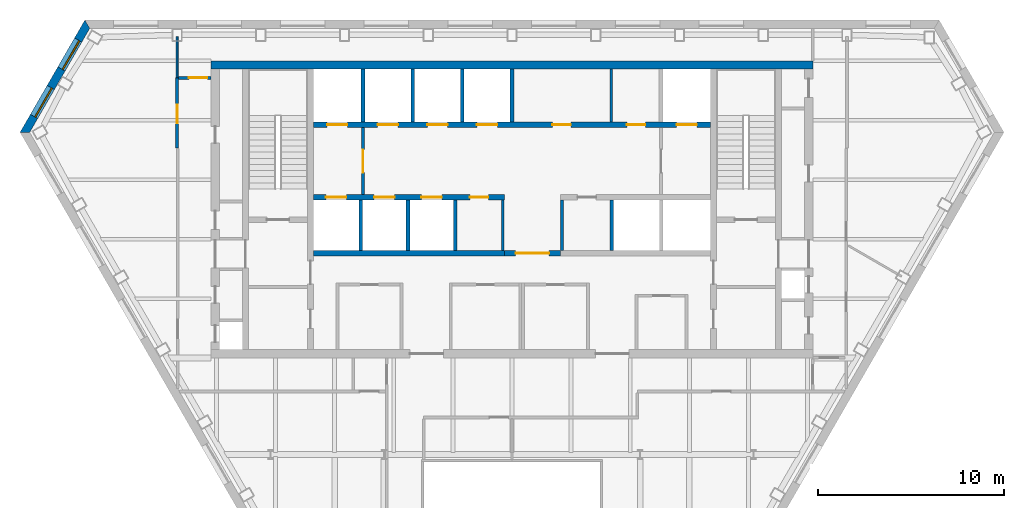
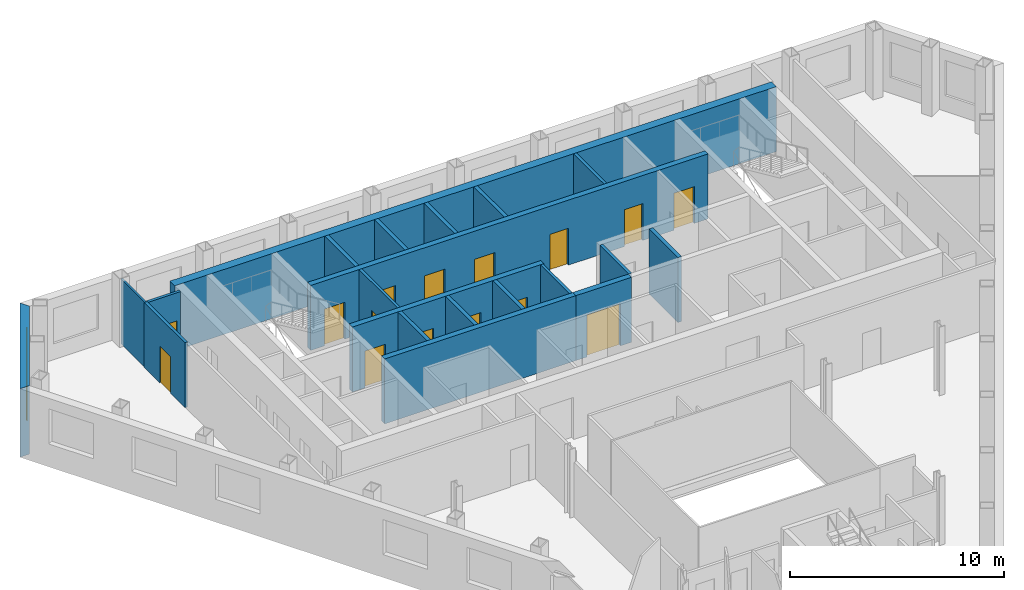
# One storey, part 6 of 11: 21 walls, 15 doors, 2 windows, 17 openings.
"""IFC4 building model written with IfcOpenShell, lengths in metres."""

from ifc_helpers import new_model, si_unit, direction, frame, frame_2d, origin, place, context, subcontext, project, spatial, polyline, rectangle, outline, extrude, material, layer, layer_set, type_object, element, fill, save


model = new_model("IFC4")

# Units and contexts
model_context = context("Model", 3, precision=1e-05, world=origin(), true_north=direction((0.0, 1.0)))
body_context = subcontext(model_context, "Body", "Model", "MODEL_VIEW")
ifc_project = project(units=[si_unit("LENGTHUNIT", "METRE"), si_unit("AREAUNIT", "SQUARE_METRE"), si_unit("VOLUMEUNIT", "CUBIC_METRE"), si_unit("PLANEANGLEUNIT", "RADIAN"), si_unit("MASSUNIT", "GRAM", prefix="KILO")], contexts=[model_context])

# Site, building, storey
site_placement = place(None, origin())
site = spatial("IfcSite", under=ifc_project, at=site_placement, CompositionType="ELEMENT")
building_placement = place(site_placement, origin())
building = spatial("IfcBuilding", under=site, at=building_placement, Name="Njiva Tower", CompositionType="ELEMENT")
storey_placement = place(building_placement, frame((0.0, 0.0, 219.9)))
storey = spatial("IfcBuildingStorey", under=building, at=storey_placement, Name="L49", CompositionType="ELEMENT", Elevation=219.9)

# Walls
ifc_material_1 = material(Name="Blockwork", Category="masonry")
ifc_layer_1 = layer(ifc_material_1, 0.15)
ifc_layer_set_1 = layer_set([ifc_layer_1], Name="Blockwork")
wall_type_1 = type_object("IfcWallType", Name="WT1 Compartment partition 150", PredefinedType="PARTITIONING", material=ifc_layer_set_1)
wall_1_placement = place(storey_placement, frame((5.35, 14.7, 0.0), z_axis=(0.0, 0.0, 1.0), x_axis=(0.0, 1.0, 0.0)))
element("IfcWall", 1, at=wall_1_placement, inside=storey, type_object=wall_type_1, Name="Partition CN6", PredefinedType="PARTITIONING", context=body_context, shape_type="SweptSolid", body=[
    extrude(rectangle(XDim=2.85, YDim=0.15, at=frame_2d((1.425, 0.0))), origin(), (0.0, 0.0, 1.0), 3.7),
])
for number, where, z_axis, x_axis, name in (
    (2, (-0.5, 7.8, 0.0), (0.0, 0.0, 1.0), (0.0, 1.0, 0.0), "Partition CS4"),
    (3, (2.7, 7.8, 0.0), (0.0, 0.0, 1.0), (0.0, 1.0, 0.0), "Partition CS5"),
):
    element("IfcWall", number, at=place(storey_placement, frame(where, z_axis=z_axis, x_axis=x_axis)), inside=storey, type_object=wall_type_1, Name=name, PredefinedType="PARTITIONING", context=body_context, shape_type="SweptSolid", body=[
        extrude(rectangle(XDim=2.7, YDim=0.15, at=frame_2d((1.35, 0.0))), origin(), (0.0, 0.0, 1.0), 3.7),
    ])
ifc_material_2 = material(Name="Concrete C60/75", Category="concrete")
ifc_layer_2 = layer(ifc_material_2, 0.45)
ifc_layer_set_2 = layer_set([ifc_layer_2], Name="Concrete C60/75")
wall_type_2 = type_object("IfcWallType", Name="WT12 Core wall 450", PredefinedType="SHEAR", material=ifc_layer_set_2)
wall_2_placement = place(storey_placement, frame((-16.2, 17.775, 0.0), z_axis=(0.0, 0.0, 1.0), x_axis=(1.0, 0.0, 0.0)))
element("IfcWall", 4, at=wall_2_placement, inside=storey, type_object=wall_type_2, Name="Core wall north", PredefinedType="SHEAR", context=body_context, shape_type="SweptSolid", body=[
    extrude(rectangle(XDim=32.4, YDim=0.45, at=frame_2d((16.2, 0.0))), origin(), (0.0, 0.0, 1.0), 3.7),
])

# Wall, opening, door
ifc_layer_3 = layer(ifc_material_1, 0.15)
ifc_layer_set_3 = layer_set([ifc_layer_3], Name="Blockwork")
wall_type_3 = type_object("IfcWallType", Name="WT2 Lobby partition 150", PredefinedType="PARTITIONING", material=ifc_layer_set_3)
wall_3_placement = place(storey_placement, frame((-8.025, 10.8, 0.0), z_axis=(0.0, 0.0, 1.0), x_axis=(0.0, 1.0, 0.0)))
wall_3 = element("IfcWall", 5, at=wall_3_placement, inside=storey, type_object=wall_type_3, Name="Firefighting lobby wall A", PredefinedType="PARTITIONING", context=body_context, shape_type="SweptSolid", body=[
    extrude(rectangle(XDim=3.6, YDim=0.15, at=frame_2d((1.8, 0.0))), origin(), (0.0, 0.0, 1.0), 3.7),
])
opening_1_placement = place(wall_3_placement, frame((1.175, 0.0, 0.0)))
opening_1 = element("IfcOpeningElement", 6, at=opening_1_placement, cuts=wall_3, Name="Opening S16-D913", PredefinedType="OPENING", context=body_context, shape_type="SweptSolid", body=[
    extrude(rectangle(XDim=1.25, YDim=2.1, at=frame_2d((0.625, 1.05))), frame((0.0, 0.085, 0.0), z_axis=(0.0, -1.0, 0.0), x_axis=(1.0, 0.0, 0.0)), (0.0, 0.0, 1.0), 0.17),
])
ifc_material_3 = material(Name="Glazed steel fire door", Category="steel")
door_type_1 = type_object("IfcDoorType", Name="D8 Vestibule corridor door 1250x2100 glazed", OperationType="SINGLE_SWING_LEFT", PredefinedType="DOOR", material=ifc_material_3)
door_1_placement = place(opening_1_placement, origin())
door_1 = element("IfcDoor", 7, at=door_1_placement, inside=storey, type_object=door_type_1, Name="Stair vestibule corridor door", OperationType="SINGLE_SWING_RIGHT", OverallHeight=2.1, OverallWidth=1.25, PredefinedType="DOOR", context=body_context, shape_type="SweptSolid", body=[
    extrude(rectangle(XDim=1.25, YDim=2.1, at=frame_2d((0.625, 1.05))), frame((0.0, 0.025, 0.0), z_axis=(0.0, -1.0, 0.0), x_axis=(1.0, 0.0, 0.0)), (0.0, 0.0, 1.0), 0.05),
])
fill(opening_1, door_1)

# Wall
ifc_material_4 = material(Name="Gypsum board on steel studs", Category="gypsum")
ifc_layer_4 = layer(ifc_material_4, 0.1)
ifc_layer_set_4 = layer_set([ifc_layer_4], Name="Gypsum board on steel studs")
wall_type_4 = type_object("IfcWallType", Name="WT20 Gypsum partition 100", PredefinedType="PARTITIONING", material=ifc_layer_set_4)
wall_4_placement = place(storey_placement, frame((-18.034, 17.091, 0.0), z_axis=(0.0, 0.0, 1.0), x_axis=(0.0, 1.0, 0.0)))
element("IfcWall", 8, at=wall_4_placement, inside=storey, type_object=wall_type_4, Name="Partition S16-P002", PredefinedType="PARTITIONING", context=body_context, shape_type="SweptSolid", body=[
    extrude(rectangle(XDim=2.209, YDim=0.1, at=frame_2d((1.1045, 0.0))), origin(), (0.0, 0.0, 1.0), 3.7),
])

# Wall, opening, door
ifc_layer_5 = layer(ifc_material_4, 0.15)
ifc_layer_set_5 = layer_set([ifc_layer_5], Name="Gypsum board on steel studs")
wall_type_5 = type_object("IfcWallType", Name="WT21 Compartment wall 150", PredefinedType="PARTITIONING", material=ifc_layer_set_5)
wall_5_placement = place(storey_placement, frame((-18.034, 13.3, 0.0), z_axis=(0.0, 0.0, 1.0), x_axis=(0.0, 1.0, 0.0)))
wall_5 = element("IfcWall", 9, at=wall_5_placement, inside=storey, type_object=wall_type_5, Name="Partition S16-P001", PredefinedType="PARTITIONING", context=body_context, shape_type="SweptSolid", body=[
    extrude(rectangle(XDim=3.791, YDim=0.15, at=frame_2d((1.8955, 0.0))), origin(), (0.0, 0.0, 1.0), 3.7),
])
opening_2_placement = place(wall_5_placement, frame((1.344, 0.0, 0.0)))
opening_2 = element("IfcOpeningElement", 10, at=opening_2_placement, cuts=wall_5, Name="Opening S16-D001", PredefinedType="OPENING", context=body_context, shape_type="SweptSolid", body=[
    extrude(rectangle(XDim=1.0, YDim=2.1, at=frame_2d((0.5, 1.05))), frame((0.0, 0.085, 0.0), z_axis=(0.0, -1.0, 0.0), x_axis=(1.0, 0.0, 0.0)), (0.0, 0.0, 1.0), 0.17),
])
ifc_material_5 = material(Name="Steel fire door set", Category="steel")
door_type_2 = type_object("IfcDoorType", Name="D37 Fire door 1000x2100", OperationType="SINGLE_SWING_LEFT", PredefinedType="DOOR", material=ifc_material_5)
door_2_placement = place(opening_2_placement, origin())
door_2 = element("IfcDoor", 11, at=door_2_placement, inside=storey, type_object=door_type_2, Name="Door S16-D001", OperationType="SINGLE_SWING_RIGHT", OverallHeight=2.1, OverallWidth=1.0, PredefinedType="DOOR", context=body_context, shape_type="SweptSolid", body=[
    extrude(rectangle(XDim=1.0, YDim=2.1, at=frame_2d((0.5, 1.05))), frame((0.0, 0.025, 0.0), z_axis=(0.0, -1.0, 0.0), x_axis=(1.0, 0.0, 0.0)), (0.0, 0.0, 1.0), 0.05),
])
fill(opening_2, door_2)

wall_6_placement = place(storey_placement, frame((-17.959, 17.079, 0.0), z_axis=(0.0, 0.0, 1.0), x_axis=(1.0, 0.0, 0.0)))
wall_6 = element("IfcWall", 12, at=wall_6_placement, inside=storey, type_object=wall_type_5, Name="Partition S16-P004", PredefinedType="PARTITIONING", context=body_context, shape_type="SweptSolid", body=[
    extrude(rectangle(XDim=1.759, YDim=0.15, at=frame_2d((0.8795, 0.0))), origin(), (0.0, 0.0, 1.0), 3.7),
])
opening_3_placement = place(wall_6_placement, frame((0.559, 0.0, 0.0)))
opening_3 = element("IfcOpeningElement", 13, at=opening_3_placement, cuts=wall_6, Name="Opening S16-D003", PredefinedType="OPENING", context=body_context, shape_type="SweptSolid", body=[
    extrude(rectangle(XDim=1.0, YDim=2.1, at=frame_2d((0.5, 1.05))), frame((0.0, 0.085, 0.0), z_axis=(0.0, -1.0, 0.0), x_axis=(1.0, 0.0, 0.0)), (0.0, 0.0, 1.0), 0.17),
])
door_3_placement = place(opening_3_placement, origin())
door_3 = element("IfcDoor", 14, at=door_3_placement, inside=storey, type_object=door_type_2, Name="Door S16-D003", OperationType="SINGLE_SWING_LEFT", OverallHeight=2.1, OverallWidth=1.0, PredefinedType="DOOR", context=body_context, shape_type="SweptSolid", body=[
    extrude(rectangle(XDim=1.0, YDim=2.1, at=frame_2d((0.5, 1.05))), frame((0.0, 0.025, 0.0), z_axis=(0.0, -1.0, 0.0), x_axis=(1.0, 0.0, 0.0)), (0.0, 0.0, 1.0), 0.05),
])
fill(opening_3, door_3)

ifc_layer_6 = layer(ifc_material_1, 0.3)
ifc_layer_set_6 = layer_set([ifc_layer_6], Name="Blockwork")
wall_type_6 = type_object("IfcWallType", Name="WT5 Lobby partition 300", PredefinedType="PARTITIONING", material=ifc_layer_set_6)
wall_7_placement = place(storey_placement, frame((-0.4, 7.65, 0.0), z_axis=(0.0, 0.0, 1.0), x_axis=(1.0, 0.0, 0.0)))
wall_7 = element("IfcWall", 15, at=wall_7_placement, inside=storey, type_object=wall_type_6, Name="Lift lobby screen wall", PredefinedType="PARTITIONING", context=body_context, shape_type="SweptSolid", body=[
    extrude(rectangle(XDim=3.0, YDim=0.3, at=frame_2d((1.5, 0.0))), origin(), (0.0, 0.0, 1.0), 3.7),
])
opening_4_placement = place(wall_7_placement, frame((0.6, 0.0, 0.0)))
opening_4 = element("IfcOpeningElement", 16, at=opening_4_placement, cuts=wall_7, Name="Opening S16-D937", PredefinedType="OPENING", context=body_context, shape_type="SweptSolid", body=[
    extrude(rectangle(XDim=1.8, YDim=2.4, at=frame_2d((0.9, 1.2))), frame((0.0, 0.16, 0.0), z_axis=(0.0, -1.0, 0.0), x_axis=(1.0, 0.0, 0.0)), (0.0, 0.0, 1.0), 0.32),
])
ifc_material_6 = material(Name="Steel and glass door", Category="steel")
door_type_3 = type_object("IfcDoorType", Name="D3 Core entrance door 1800x2400", OperationType="DOUBLE_DOOR_SINGLE_SWING", PredefinedType="DOOR", material=ifc_material_6)
door_4_placement = place(opening_4_placement, origin())
door_4 = element("IfcDoor", 17, at=door_4_placement, inside=storey, type_object=door_type_3, Name="Core entrance door", OperationType="DOUBLE_DOOR_SINGLE_SWING", OverallHeight=2.4, OverallWidth=1.8, PredefinedType="DOOR", context=body_context, shape_type="SweptSolid", body=[
    extrude(rectangle(XDim=1.8, YDim=2.4, at=frame_2d((0.9, 1.2))), frame((0.0, 0.025, 0.0), z_axis=(0.0, -1.0, 0.0), x_axis=(1.0, 0.0, 0.0)), (0.0, 0.0, 1.0), 0.05),
])
fill(opening_4, door_4)

# Walls
ifc_material_7 = material(Name="Concrete C40/50", Category="concrete")
ifc_layer_7 = layer(ifc_material_7, 0.2)
ifc_layer_set_7 = layer_set([ifc_layer_7], Name="Concrete C40/50")
wall_type_7 = type_object("IfcWallType", Name="WT6 Lift shaft wall 200", PredefinedType="SHEAR", material=ifc_layer_set_7)
for number, where, z_axis, x_axis, name in (
    (18, (-8.025, 14.7, 0.0), (0.0, 0.0, 1.0), (0.0, 1.0, 0.0), "Shaft wall CN1"),
    (19, (-5.35, 14.7, 0.0), (0.0, 0.0, 1.0), (0.0, 1.0, 0.0), "Shaft wall CN2"),
    (20, (-2.675, 14.7, 0.0), (0.0, 0.0, 1.0), (0.0, 1.0, 0.0), "Shaft wall CN3"),
    (21, (0.0, 14.7, 0.0), (0.0, 0.0, 1.0), (0.0, 1.0, 0.0), "Shaft wall CN4"),
):
    element("IfcWall", number, at=place(storey_placement, frame(where, z_axis=z_axis, x_axis=x_axis)), inside=storey, type_object=wall_type_7, Name=name, PredefinedType="SHEAR", context=body_context, shape_type="SweptSolid", body=[
        extrude(rectangle(XDim=2.85, YDim=0.2, at=frame_2d((1.425, 0.0))), origin(), (0.0, 0.0, 1.0), 3.7),
    ])
for number, where, z_axis, x_axis, name in (
    (22, (-8.15, 7.8, 0.0), (0.0, 0.0, 1.0), (0.0, 1.0, 0.0), "Shaft wall CS1"),
    (23, (-5.6, 7.8, 0.0), (0.0, 0.0, 1.0), (0.0, 1.0, 0.0), "Shaft wall CS2"),
    (24, (-3.05, 7.8, 0.0), (0.0, 0.0, 1.0), (0.0, 1.0, 0.0), "Shaft wall CS3"),
    (25, (5.3667, 7.8, 0.0), (0.0, 0.0, 1.0), (0.0, 1.0, 0.0), "Shaft wall CS6"),
):
    element("IfcWall", number, at=place(storey_placement, frame(where, z_axis=z_axis, x_axis=x_axis)), inside=storey, type_object=wall_type_7, Name=name, PredefinedType="SHEAR", context=body_context, shape_type="SweptSolid", body=[
        extrude(rectangle(XDim=2.7, YDim=0.2, at=frame_2d((1.35, 0.0))), origin(), (0.0, 0.0, 1.0), 3.7),
    ])

# Wall, openings, doors
ifc_layer_8 = layer(ifc_material_7, 0.3)
ifc_layer_set_8 = layer_set([ifc_layer_8], Name="Concrete C40/50")
wall_type_8 = type_object("IfcWallType", Name="WT7 Lift shaft wall 300", PredefinedType="SHEAR", material=ifc_layer_set_8)
wall_8_placement = place(storey_placement, frame((-10.7, 14.55, 0.0), z_axis=(0.0, 0.0, 1.0), x_axis=(1.0, 0.0, 0.0)))
wall_8 = element("IfcWall", 26, at=wall_8_placement, inside=storey, type_object=wall_type_8, Name="Shaft wall north row lobby side", PredefinedType="SHEAR", context=body_context, shape_type="SweptSolid", body=[
    extrude(rectangle(XDim=21.4, YDim=0.3, at=frame_2d((10.7, 0.0))), origin(), (0.0, 0.0, 1.0), 3.7),
])
opening_5_placement = place(wall_8_placement, frame((0.7375, 0.0, 0.0)))
opening_5 = element("IfcOpeningElement", 27, at=opening_5_placement, cuts=wall_8, Name="Opening S16-D901", PredefinedType="OPENING", context=body_context, shape_type="SweptSolid", body=[
    extrude(rectangle(XDim=1.1, YDim=2.1, at=frame_2d((0.55, 1.05))), frame((0.0, 0.16, 0.0), z_axis=(0.0, -1.0, 0.0), x_axis=(1.0, 0.0, 0.0)), (0.0, 0.0, 1.0), 0.32),
])
opening_6_placement = place(wall_8_placement, frame((3.4625, 0.0, 0.0)))
opening_6 = element("IfcOpeningElement", 28, at=opening_6_placement, cuts=wall_8, Name="Opening S16-D902", PredefinedType="OPENING", context=body_context, shape_type="SweptSolid", body=[
    extrude(rectangle(XDim=1.1, YDim=2.1, at=frame_2d((0.55, 1.05))), frame((0.0, 0.16, 0.0), z_axis=(0.0, -1.0, 0.0), x_axis=(1.0, 0.0, 0.0)), (0.0, 0.0, 1.0), 0.32),
])
opening_7_placement = place(wall_8_placement, frame((6.1375, 0.0, 0.0)))
opening_7 = element("IfcOpeningElement", 29, at=opening_7_placement, cuts=wall_8, Name="Opening S16-D903", PredefinedType="OPENING", context=body_context, shape_type="SweptSolid", body=[
    extrude(rectangle(XDim=1.1, YDim=2.1, at=frame_2d((0.55, 1.05))), frame((0.0, 0.16, 0.0), z_axis=(0.0, -1.0, 0.0), x_axis=(1.0, 0.0, 0.0)), (0.0, 0.0, 1.0), 0.32),
])
opening_8_placement = place(wall_8_placement, frame((8.8125, 0.0, 0.0)))
opening_8 = element("IfcOpeningElement", 30, at=opening_8_placement, cuts=wall_8, Name="Opening S16-D904", PredefinedType="OPENING", context=body_context, shape_type="SweptSolid", body=[
    extrude(rectangle(XDim=1.1, YDim=2.1, at=frame_2d((0.55, 1.05))), frame((0.0, 0.16, 0.0), z_axis=(0.0, -1.0, 0.0), x_axis=(1.0, 0.0, 0.0)), (0.0, 0.0, 1.0), 0.32),
])
opening_9_placement = place(wall_8_placement, frame((19.5625, 0.0, 0.0)))
opening_9 = element("IfcOpeningElement", 31, at=opening_9_placement, cuts=wall_8, Name="Opening S16-D905", PredefinedType="OPENING", context=body_context, shape_type="SweptSolid", body=[
    extrude(rectangle(XDim=1.1, YDim=2.1, at=frame_2d((0.55, 1.05))), frame((0.0, 0.16, 0.0), z_axis=(0.0, -1.0, 0.0), x_axis=(1.0, 0.0, 0.0)), (0.0, 0.0, 1.0), 0.32),
])
opening_10_placement = place(wall_8_placement, frame((12.875, 0.0, 0.0)))
opening_10 = element("IfcOpeningElement", 32, at=opening_10_placement, cuts=wall_8, Name="Opening S16-D909", PredefinedType="OPENING", context=body_context, shape_type="SweptSolid", body=[
    extrude(rectangle(XDim=1.0, YDim=2.1, at=frame_2d((0.5, 1.05))), frame((0.0, 0.16, 0.0), z_axis=(0.0, -1.0, 0.0), x_axis=(1.0, 0.0, 0.0)), (0.0, 0.0, 1.0), 0.32),
])
opening_11_placement = place(wall_8_placement, frame((16.8875, 0.0, 0.0)))
opening_11 = element("IfcOpeningElement", 33, at=opening_11_placement, cuts=wall_8, Name="Opening S16-D910", PredefinedType="OPENING", context=body_context, shape_type="SweptSolid", body=[
    extrude(rectangle(XDim=1.0, YDim=2.1, at=frame_2d((0.5, 1.05))), frame((0.0, 0.16, 0.0), z_axis=(0.0, -1.0, 0.0), x_axis=(1.0, 0.0, 0.0)), (0.0, 0.0, 1.0), 0.32),
])
ifc_material_8 = material(Name="Steel door, painted", Category="steel")
door_type_4 = type_object("IfcDoorType", Name="D5 Steel door 1000x2100", OperationType="SINGLE_SWING_LEFT", PredefinedType="DOOR", material=ifc_material_8)
door_5_placement = place(opening_10_placement, origin())
door_5 = element("IfcDoor", 34, at=door_5_placement, inside=storey, type_object=door_type_4, Name="Reading room door", OperationType="SINGLE_SWING_LEFT", OverallHeight=2.1, OverallWidth=1.0, PredefinedType="DOOR", context=body_context, shape_type="SweptSolid", body=[
    extrude(rectangle(XDim=1.0, YDim=2.1, at=frame_2d((0.5, 1.05))), frame((0.0, 0.025, 0.0), z_axis=(0.0, -1.0, 0.0), x_axis=(1.0, 0.0, 0.0)), (0.0, 0.0, 1.0), 0.05),
])
fill(opening_10, door_5)
door_6_placement = place(opening_11_placement, origin())
door_6 = element("IfcDoor", 35, at=door_6_placement, inside=storey, type_object=door_type_4, Name="Business centre door", OperationType="SINGLE_SWING_LEFT", OverallHeight=2.1, OverallWidth=1.0, PredefinedType="DOOR", context=body_context, shape_type="SweptSolid", body=[
    extrude(rectangle(XDim=1.0, YDim=2.1, at=frame_2d((0.5, 1.05))), frame((0.0, 0.025, 0.0), z_axis=(0.0, -1.0, 0.0), x_axis=(1.0, 0.0, 0.0)), (0.0, 0.0, 1.0), 0.05),
])
fill(opening_11, door_6)
ifc_material_9 = material(Name="Stainless steel sliding door", Category="steel")
door_type_5 = type_object("IfcDoorType", Name="LD Lift landing door 1100x2100", OperationType="SLIDING_TO_LEFT", PredefinedType="DOOR", material=ifc_material_9)
door_7_placement = place(opening_5_placement, origin())
door_7 = element("IfcDoor", 36, at=door_7_placement, inside=storey, type_object=door_type_5, Name="Lift landing door FF1", OperationType="SLIDING_TO_LEFT", OverallHeight=2.1, OverallWidth=1.1, PredefinedType="DOOR", context=body_context, shape_type="SweptSolid", body=[
    extrude(rectangle(XDim=1.1, YDim=2.1, at=frame_2d((0.55, 1.05))), frame((0.0, 0.025, 0.0), z_axis=(0.0, -1.0, 0.0), x_axis=(1.0, 0.0, 0.0)), (0.0, 0.0, 1.0), 0.05),
])
fill(opening_5, door_7)
door_8_placement = place(opening_6_placement, origin())
door_8 = element("IfcDoor", 37, at=door_8_placement, inside=storey, type_object=door_type_5, Name="Lift landing door MB4", OperationType="SLIDING_TO_LEFT", OverallHeight=2.1, OverallWidth=1.1, PredefinedType="DOOR", context=body_context, shape_type="SweptSolid", body=[
    extrude(rectangle(XDim=1.1, YDim=2.1, at=frame_2d((0.55, 1.05))), frame((0.0, 0.025, 0.0), z_axis=(0.0, -1.0, 0.0), x_axis=(1.0, 0.0, 0.0)), (0.0, 0.0, 1.0), 0.05),
])
fill(opening_6, door_8)
door_9_placement = place(opening_7_placement, origin())
door_9 = element("IfcDoor", 38, at=door_9_placement, inside=storey, type_object=door_type_5, Name="Lift landing door MB5", OperationType="SLIDING_TO_LEFT", OverallHeight=2.1, OverallWidth=1.1, PredefinedType="DOOR", context=body_context, shape_type="SweptSolid", body=[
    extrude(rectangle(XDim=1.1, YDim=2.1, at=frame_2d((0.55, 1.05))), frame((0.0, 0.025, 0.0), z_axis=(0.0, -1.0, 0.0), x_axis=(1.0, 0.0, 0.0)), (0.0, 0.0, 1.0), 0.05),
])
fill(opening_7, door_9)
door_10_placement = place(opening_8_placement, origin())
door_10 = element("IfcDoor", 39, at=door_10_placement, inside=storey, type_object=door_type_5, Name="Lift landing door MB6", OperationType="SLIDING_TO_LEFT", OverallHeight=2.1, OverallWidth=1.1, PredefinedType="DOOR", context=body_context, shape_type="SweptSolid", body=[
    extrude(rectangle(XDim=1.1, YDim=2.1, at=frame_2d((0.55, 1.05))), frame((0.0, 0.025, 0.0), z_axis=(0.0, -1.0, 0.0), x_axis=(1.0, 0.0, 0.0)), (0.0, 0.0, 1.0), 0.05),
])
fill(opening_8, door_10)
door_11_placement = place(opening_9_placement, origin())
door_11 = element("IfcDoor", 40, at=door_11_placement, inside=storey, type_object=door_type_5, Name="Lift landing door FF2", OperationType="SLIDING_TO_LEFT", OverallHeight=2.1, OverallWidth=1.1, PredefinedType="DOOR", context=body_context, shape_type="SweptSolid", body=[
    extrude(rectangle(XDim=1.1, YDim=2.1, at=frame_2d((0.55, 1.05))), frame((0.0, 0.025, 0.0), z_axis=(0.0, -1.0, 0.0), x_axis=(1.0, 0.0, 0.0)), (0.0, 0.0, 1.0), 0.05),
])
fill(opening_9, door_11)

wall_9_placement = place(storey_placement, frame((-10.7, 10.65, 0.0), z_axis=(0.0, 0.0, 1.0), x_axis=(1.0, 0.0, 0.0)))
wall_9 = element("IfcWall", 41, at=wall_9_placement, inside=storey, type_object=wall_type_8, Name="Shaft wall south row lobby side W", PredefinedType="SHEAR", context=body_context, shape_type="SweptSolid", body=[
    extrude(rectangle(XDim=10.3, YDim=0.3, at=frame_2d((5.15, 0.0))), origin(), (0.0, 0.0, 1.0), 3.7),
])
opening_12_placement = place(wall_9_placement, frame((0.675, 0.0, 0.0)))
opening_12 = element("IfcOpeningElement", 42, at=opening_12_placement, cuts=wall_9, Name="Opening S16-D906", PredefinedType="OPENING", context=body_context, shape_type="SweptSolid", body=[
    extrude(rectangle(XDim=1.1, YDim=2.1, at=frame_2d((0.55, 1.05))), frame((0.0, 0.16, 0.0), z_axis=(0.0, -1.0, 0.0), x_axis=(1.0, 0.0, 0.0)), (0.0, 0.0, 1.0), 0.32),
])
opening_13_placement = place(wall_9_placement, frame((3.275, 0.0, 0.0)))
opening_13 = element("IfcOpeningElement", 43, at=opening_13_placement, cuts=wall_9, Name="Opening S16-D907", PredefinedType="OPENING", context=body_context, shape_type="SweptSolid", body=[
    extrude(rectangle(XDim=1.1, YDim=2.1, at=frame_2d((0.55, 1.05))), frame((0.0, 0.16, 0.0), z_axis=(0.0, -1.0, 0.0), x_axis=(1.0, 0.0, 0.0)), (0.0, 0.0, 1.0), 0.32),
])
opening_14_placement = place(wall_9_placement, frame((5.825, 0.0, 0.0)))
opening_14 = element("IfcOpeningElement", 44, at=opening_14_placement, cuts=wall_9, Name="Opening S16-D908", PredefinedType="OPENING", context=body_context, shape_type="SweptSolid", body=[
    extrude(rectangle(XDim=1.1, YDim=2.1, at=frame_2d((0.55, 1.05))), frame((0.0, 0.16, 0.0), z_axis=(0.0, -1.0, 0.0), x_axis=(1.0, 0.0, 0.0)), (0.0, 0.0, 1.0), 0.32),
])
opening_15_placement = place(wall_9_placement, frame((8.425, 0.0, 0.0)))
opening_15 = element("IfcOpeningElement", 45, at=opening_15_placement, cuts=wall_9, Name="Opening S16-D911", PredefinedType="OPENING", context=body_context, shape_type="SweptSolid", body=[
    extrude(rectangle(XDim=1.0, YDim=2.1, at=frame_2d((0.5, 1.05))), frame((0.0, 0.16, 0.0), z_axis=(0.0, -1.0, 0.0), x_axis=(1.0, 0.0, 0.0)), (0.0, 0.0, 1.0), 0.32),
])
door_12_placement = place(opening_15_placement, origin())
door_12 = element("IfcDoor", 46, at=door_12_placement, inside=storey, type_object=door_type_4, Name="Prayer room door", OperationType="SINGLE_SWING_RIGHT", OverallHeight=2.1, OverallWidth=1.0, PredefinedType="DOOR", context=body_context, shape_type="SweptSolid", body=[
    extrude(rectangle(XDim=1.0, YDim=2.1, at=frame_2d((0.5, 1.05))), frame((0.0, 0.025, 0.0), z_axis=(0.0, -1.0, 0.0), x_axis=(1.0, 0.0, 0.0)), (0.0, 0.0, 1.0), 0.05),
])
fill(opening_15, door_12)
door_13_placement = place(opening_12_placement, origin())
door_13 = element("IfcDoor", 47, at=door_13_placement, inside=storey, type_object=door_type_5, Name="Lift landing door MB1", OperationType="SLIDING_TO_LEFT", OverallHeight=2.1, OverallWidth=1.1, PredefinedType="DOOR", context=body_context, shape_type="SweptSolid", body=[
    extrude(rectangle(XDim=1.1, YDim=2.1, at=frame_2d((0.55, 1.05))), frame((0.0, 0.025, 0.0), z_axis=(0.0, -1.0, 0.0), x_axis=(1.0, 0.0, 0.0)), (0.0, 0.0, 1.0), 0.05),
])
fill(opening_12, door_13)
door_14_placement = place(opening_13_placement, origin())
door_14 = element("IfcDoor", 48, at=door_14_placement, inside=storey, type_object=door_type_5, Name="Lift landing door MB2", OperationType="SLIDING_TO_LEFT", OverallHeight=2.1, OverallWidth=1.1, PredefinedType="DOOR", context=body_context, shape_type="SweptSolid", body=[
    extrude(rectangle(XDim=1.1, YDim=2.1, at=frame_2d((0.55, 1.05))), frame((0.0, 0.025, 0.0), z_axis=(0.0, -1.0, 0.0), x_axis=(1.0, 0.0, 0.0)), (0.0, 0.0, 1.0), 0.05),
])
fill(opening_13, door_14)
door_15_placement = place(opening_14_placement, origin())
door_15 = element("IfcDoor", 49, at=door_15_placement, inside=storey, type_object=door_type_5, Name="Lift landing door MB3", OperationType="SLIDING_TO_LEFT", OverallHeight=2.1, OverallWidth=1.1, PredefinedType="DOOR", context=body_context, shape_type="SweptSolid", body=[
    extrude(rectangle(XDim=1.1, YDim=2.1, at=frame_2d((0.55, 1.05))), frame((0.0, 0.025, 0.0), z_axis=(0.0, -1.0, 0.0), x_axis=(1.0, 0.0, 0.0)), (0.0, 0.0, 1.0), 0.05),
])
fill(opening_14, door_15)

# Wall
wall_10_placement = place(storey_placement, frame((-10.7, 7.65, 0.0), z_axis=(0.0, 0.0, 1.0), x_axis=(1.0, 0.0, 0.0)))
element("IfcWall", 50, at=wall_10_placement, inside=storey, type_object=wall_type_8, Name="Shaft wall south row back W", PredefinedType="SHEAR", context=body_context, shape_type="SweptSolid", body=[
    extrude(rectangle(XDim=10.3, YDim=0.3, at=frame_2d((5.15, 0.0))), origin(), (0.0, 0.0, 1.0), 3.7),
])

# Wall, openings, windows
ifc_material_10 = material(Name="Brick masonry, buff", Category="masonry")
ifc_layer_9 = layer(ifc_material_10, 0.45)
ifc_layer_set_9 = layer_set([ifc_layer_9], Name="Brick masonry, buff")
wall_type_9 = type_object("IfcWallType", Name="WT94 Brick pier and spandrel wall 450, buff", PredefinedType="SOLIDWALL", material=ifc_layer_set_9)
wall_11_placement = place(storey_placement, frame((-22.8713, 19.9728, -0.4), z_axis=(0.0, 0.0, 1.0), x_axis=(-0.500004118585, -0.866023025905, 0.0)))
wall_11 = element("IfcWall", 51, at=wall_11_placement, inside=storey, type_object=wall_type_9, Name="Facade wall NW", PredefinedType="SOLIDWALL", context=body_context, shape_type="SweptSolid", body=[
    extrude(outline(polyline([(-0.1299, -0.225), (6.85, -0.225), (6.5902, 0.225), (0.1299, 0.225), (-0.1299, -0.225)])), origin(), (0.0, 0.0, 1.0), 3.9),
])
opening_16_placement = place(wall_11_placement, frame((0.9844, 0.0, 1.3)))
opening_16 = element("IfcOpeningElement", 52, at=opening_16_placement, cuts=wall_11, Name="Opening S16-W10", PredefinedType="OPENING", context=body_context, shape_type="SweptSolid", body=[
    extrude(rectangle(XDim=1.8, YDim=2.0, at=frame_2d((0.9, 1.0))), frame((0.0, 0.235, 0.0), z_axis=(0.0, -1.0, 0.0), x_axis=(1.0, 0.0, 0.0)), (0.0, 0.0, 1.0), 0.47),
])
opening_17_placement = place(wall_11_placement, frame((3.9357, 0.0, 1.3)))
opening_17 = element("IfcOpeningElement", 53, at=opening_17_placement, cuts=wall_11, Name="Opening S16-W11", PredefinedType="OPENING", context=body_context, shape_type="SweptSolid", body=[
    extrude(rectangle(XDim=1.8, YDim=2.0, at=frame_2d((0.9, 1.0))), frame((0.0, 0.235, 0.0), z_axis=(0.0, -1.0, 0.0), x_axis=(1.0, 0.0, 0.0)), (0.0, 0.0, 1.0), 0.47),
])
ifc_material_11 = material(Name="Clear glazing in aluminium frame", Category="aluminium")
window_type = type_object("IfcWindowType", Name="W94 Deep-set window 1800x2000", PartitioningType="SINGLE_PANEL", PredefinedType="WINDOW", material=ifc_material_11)
window_1_placement = place(opening_16_placement, origin())
window_1 = element("IfcWindow", 54, at=window_1_placement, inside=storey, type_object=window_type, Name="Window", OverallHeight=2.0, OverallWidth=1.8, PartitioningType="SINGLE_PANEL", PredefinedType="WINDOW", context=body_context, shape_type="SweptSolid", body=[
    extrude(rectangle(XDim=1.8, YDim=2.0, at=frame_2d((0.9, 1.0))), frame((0.0, 0.105, 0.0), z_axis=(0.0, -1.0, 0.0), x_axis=(1.0, 0.0, 0.0)), (0.0, 0.0, 1.0), 0.06),
])
fill(opening_16, window_1)
window_2_placement = place(opening_17_placement, origin())
window_2 = element("IfcWindow", 55, at=window_2_placement, inside=storey, type_object=window_type, Name="Window", OverallHeight=2.0, OverallWidth=1.8, PartitioningType="SINGLE_PANEL", PredefinedType="WINDOW", context=body_context, shape_type="SweptSolid", body=[
    extrude(rectangle(XDim=1.8, YDim=2.0, at=frame_2d((0.9, 1.0))), frame((0.0, 0.105, 0.0), z_axis=(0.0, -1.0, 0.0), x_axis=(1.0, 0.0, 0.0)), (0.0, 0.0, 1.0), 0.06),
])
fill(opening_17, window_2)

save(model, "model.ifc")
